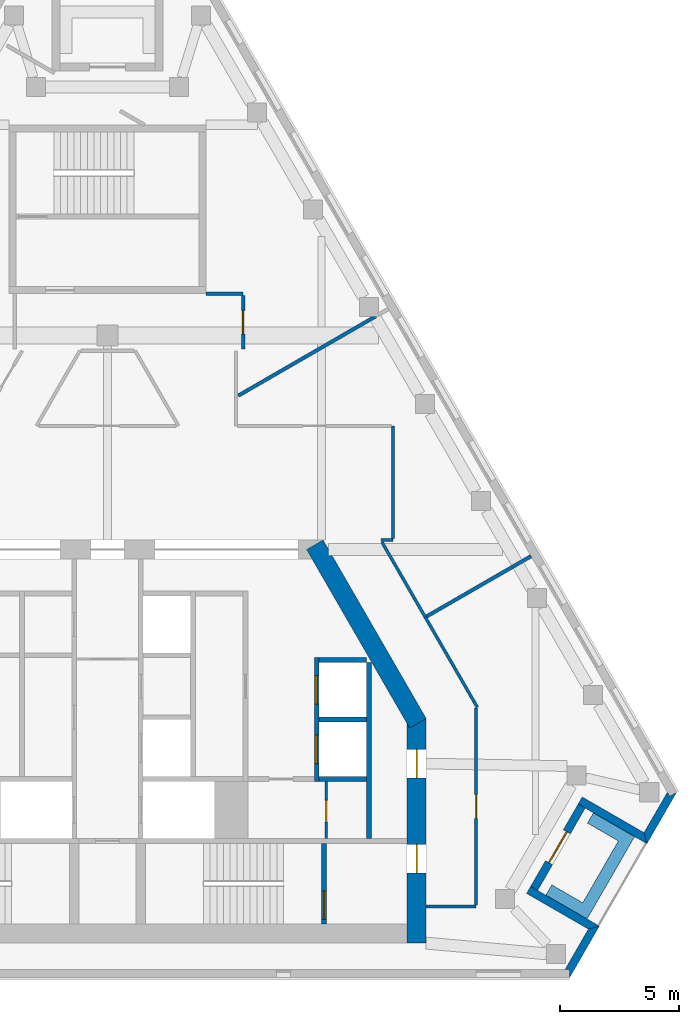
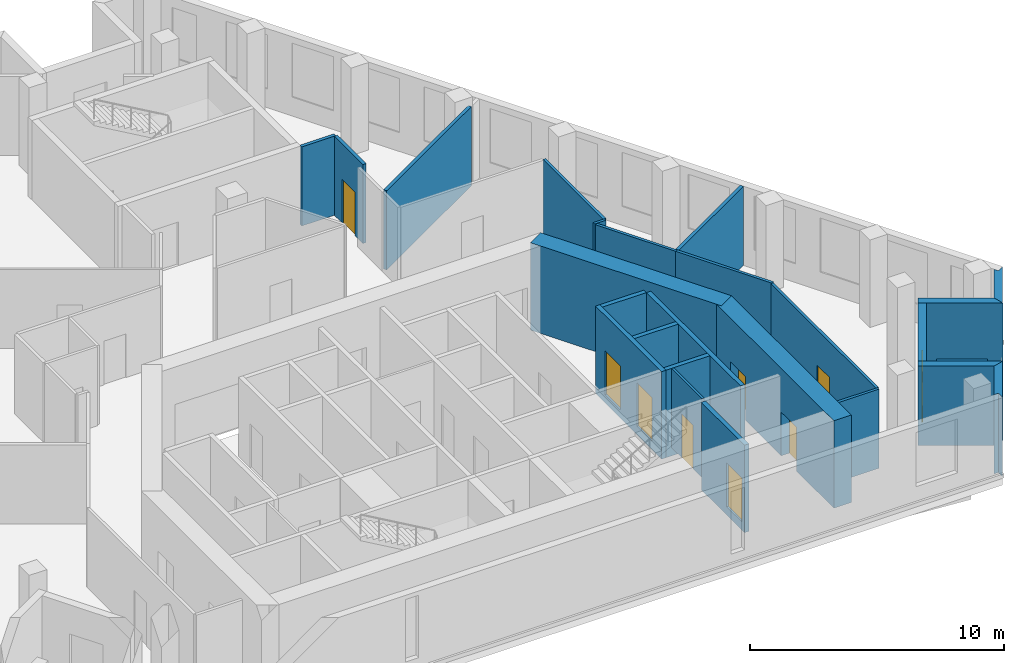
# One storey, part 5 of 8: 25 walls, 9 doors, 9 openings.
"""IFC4 building model written with IfcOpenShell, lengths in metres."""

from ifc_helpers import new_model, si_unit, direction, frame, frame_2d, origin, place, context, subcontext, project, spatial, polyline, rectangle, outline, extrude, material, layer, layer_set, type_object, element, fill, save


model = new_model("IFC4")

# Units and contexts
model_context = context("Model", 3, precision=1e-05, world=origin(), true_north=direction((0.0, 1.0)))
body_context = subcontext(model_context, "Body", "Model", "MODEL_VIEW")
ifc_project = project(units=[si_unit("LENGTHUNIT", "METRE"), si_unit("AREAUNIT", "SQUARE_METRE"), si_unit("VOLUMEUNIT", "CUBIC_METRE"), si_unit("PLANEANGLEUNIT", "RADIAN"), si_unit("MASSUNIT", "GRAM", prefix="KILO")], contexts=[model_context])

# Site, building, storey
site_placement = place(None, origin())
site = spatial("IfcSite", under=ifc_project, at=site_placement, CompositionType="ELEMENT")
building_placement = place(site_placement, origin())
building = spatial("IfcBuilding", under=site, at=building_placement, Name="Fogline Exchange Tower", CompositionType="ELEMENT")
storey_placement = place(building_placement, frame((0.0, 0.0, 335.10009765625)))
storey = spatial("IfcBuildingStorey", under=building, at=storey_placement, Name="L76", CompositionType="ELEMENT", Elevation=335.10009765625)

# Wall, opening, door
ifc_material_1 = material(Name="Blockwork partition", Category="masonry")
ifc_layer_1 = layer(ifc_material_1, 0.10009765625)
ifc_layer_set_1 = layer_set([ifc_layer_1], Name="CW10")
wall_type_1 = type_object("IfcWallType", Name="CW10", PredefinedType="PARTITIONING", material=ifc_layer_set_1)
wall_1_placement = place(storey_placement, frame((9.199951171875, 5.85009765625, 0.0), z_axis=(0.0, 0.0, 1.0), x_axis=(0.0, 1.0, 0.0)))
wall_1 = element("IfcWall", 1, at=wall_1_placement, inside=storey, type_object=wall_type_1, Name="WC partition", PredefinedType="PARTITIONING", context=body_context, shape_type="SweptSolid", body=[
    extrude(rectangle(XDim=2.39990234375, YDim=0.10009765625, at=frame_2d((1.199951171875, 0.0))), origin(), (0.0, 0.0, 1.0), 3.7998046875),
])
opening_1_placement = place(wall_1_placement, frame((0.699951171875, 0.0, 0.0)))
opening_1 = element("IfcOpeningElement", 2, at=opening_1_placement, cuts=wall_1, Name="Opening T24-C015", PredefinedType="OPENING", context=body_context, shape_type="SweptSolid", body=[
    extrude(rectangle(XDim=0.89990234375, YDim=2.10009765625, at=frame_2d((0.449951171875, 1.050048828125))), frame((0.0, 0.06005859375, 0.0), z_axis=(0.0, -1.0, 0.0), x_axis=(1.0, 0.0, 0.0)), (0.0, 0.0, 1.0), 0.1201171875),
])
ifc_material_2 = material(Name="Steel and timber fire door", Category="steel")
door_type_1 = type_object("IfcDoorType", Name="D-CS1", OperationType="SINGLE_SWING_RIGHT", PredefinedType="DOOR", material=ifc_material_2)
door_1_placement = place(opening_1_placement, frame((0.89990234375, 0.0, 0.0), z_axis=(0.0, 0.0, 1.0), x_axis=(-1.0, 0.0, 0.0)))
door_1 = element("IfcDoor", 3, at=door_1_placement, inside=storey, type_object=door_type_1, Name="Door to Cleaner's Store", OperationType="SINGLE_SWING_RIGHT", OverallHeight=2.10009765625, OverallWidth=0.89990234375, PredefinedType="DOOR", context=body_context, shape_type="SweptSolid", body=[
    extrude(rectangle(XDim=0.89990234375, YDim=2.10009765625, at=frame_2d((0.449951171875, 1.050048828125))), frame((0.0, 0.02490234375, 0.0), z_axis=(0.0, -1.0, 0.0), x_axis=(1.0, 0.0, 0.0)), (0.0, 0.0, 1.0), 0.050048828125),
])
fill(opening_1, door_1)

# Wall
ifc_material_3 = material(Name="Concrete C40", Category="concrete")
ifc_layer_2 = layer(ifc_material_3, 0.199951171875)
ifc_layer_set_2 = layer_set([ifc_layer_2], Name="CW20")
wall_type_2 = type_object("IfcWallType", Name="CW20", PredefinedType="SOLIDWALL", material=ifc_layer_set_2)
wall_2_placement = place(storey_placement, frame((11.0, 5.85009765625, 0.0), z_axis=(0.0, 0.0, 1.0), x_axis=(0.0, 1.0, 0.0)))
element("IfcWall", 4, at=wall_2_placement, inside=storey, type_object=wall_type_2, Name="Service room wall", PredefinedType="SOLIDWALL", context=body_context, shape_type="SweptSolid", body=[
    extrude(rectangle(XDim=7.39990234375, YDim=0.199951171875, at=frame_2d((3.699951171875, 0.0))), origin(), (0.0, 0.0, 1.0), 3.7998046875),
])

# Wall, opening, door
ifc_layer_3 = layer(ifc_material_3, 0.199951171875)
ifc_layer_set_3 = layer_set([ifc_layer_3], Name="CW20R")
wall_type_3 = type_object("IfcWallType", Name="CW20R", PredefinedType="SOLIDWALL", material=ifc_layer_set_3)
wall_3_placement = place(storey_placement, frame((9.10009765625, 2.25, -0.400146484375), z_axis=(0.0, 0.0, 1.0), x_axis=(0.0, 1.0, 0.0)))
wall_3 = element("IfcWall", 5, at=wall_3_placement, inside=storey, type_object=wall_type_3, Name="Stair enclosure wall", PredefinedType="SOLIDWALL", context=body_context, shape_type="SweptSolid", body=[
    extrude(rectangle(XDim=3.39990234375, YDim=0.199951171875, at=frame_2d((1.699951171875, 0.0))), origin(), (0.0, 0.0, 1.0), 4.199951171875),
])
opening_2_placement = place(wall_3_placement, frame((0.199951171875, 0.0, 0.39990234375)))
opening_2 = element("IfcOpeningElement", 6, at=opening_2_placement, cuts=wall_3, Name="Opening T24-C017", PredefinedType="OPENING", context=body_context, shape_type="SweptSolid", body=[
    extrude(rectangle(XDim=1.199951171875, YDim=2.10009765625, at=frame_2d((0.60009765625, 1.050048828125))), frame((0.0, 0.10986328125, 0.0), z_axis=(0.0, -1.0, 0.0), x_axis=(1.0, 0.0, 0.0)), (0.0, 0.0, 1.0), 0.219970703125),
])
door_type_2 = type_object("IfcDoorType", Name="D-ST1", OperationType="SINGLE_SWING_LEFT", PredefinedType="DOOR", material=ifc_material_2)
door_2_placement = place(opening_2_placement, origin())
door_2 = element("IfcDoor", 7, at=door_2_placement, inside=storey, type_object=door_type_2, Name="Stair door ST2", OperationType="SINGLE_SWING_LEFT", OverallHeight=2.10009765625, OverallWidth=1.199951171875, PredefinedType="DOOR", context=body_context, shape_type="SweptSolid", body=[
    extrude(rectangle(XDim=1.199951171875, YDim=2.10009765625, at=frame_2d((0.60009765625, 1.050048828125))), frame((0.0, 0.02490234375, 0.0), z_axis=(0.0, -1.0, 0.0), x_axis=(1.0, 0.0, 0.0)), (0.0, 0.0, 1.0), 0.050048828125),
])
fill(opening_2, door_2)

# Wall, openings, doors
ifc_layer_4 = layer(ifc_material_3, 0.199951171875)
ifc_layer_set_4 = layer_set([ifc_layer_4], Name="CW20S")
wall_type_4 = type_object("IfcWallType", Name="CW20S", PredefinedType="SOLIDWALL", material=ifc_layer_set_4)
wall_4_placement = place(storey_placement, frame((8.800048828125, 8.25, -0.400146484375), z_axis=(0.0, 0.0, 1.0), x_axis=(0.0, 1.0, 0.0)))
wall_4 = element("IfcWall", 8, at=wall_4_placement, inside=storey, type_object=wall_type_4, Name="Lift shaft wall", PredefinedType="SOLIDWALL", context=body_context, shape_type="SweptSolid", body=[
    extrude(rectangle(XDim=5.199951171875, YDim=0.199951171875, at=frame_2d((2.60009765625, 0.0))), origin(), (0.0, 0.0, 1.0), 4.199951171875),
])
opening_3_placement = place(wall_4_placement, frame((0.75, 0.0, 0.39990234375)))
opening_3 = element("IfcOpeningElement", 9, at=opening_3_placement, cuts=wall_4, Name="Opening T24-LD02", PredefinedType="OPENING", context=body_context, shape_type="SweptSolid", body=[
    extrude(rectangle(XDim=1.199951171875, YDim=2.10009765625, at=frame_2d((0.60009765625, 1.050048828125))), frame((0.0, 0.10986328125, 0.0), z_axis=(0.0, -1.0, 0.0), x_axis=(1.0, 0.0, 0.0)), (0.0, 0.0, 1.0), 0.219970703125),
])
opening_4_placement = place(wall_4_placement, frame((3.25, 0.0, 0.39990234375)))
opening_4 = element("IfcOpeningElement", 10, at=opening_4_placement, cuts=wall_4, Name="Opening T24-LD03", PredefinedType="OPENING", context=body_context, shape_type="SweptSolid", body=[
    extrude(rectangle(XDim=1.199951171875, YDim=2.10009765625, at=frame_2d((0.60009765625, 1.050048828125))), frame((0.0, 0.10986328125, 0.0), z_axis=(0.0, -1.0, 0.0), x_axis=(1.0, 0.0, 0.0)), (0.0, 0.0, 1.0), 0.219970703125),
])
door_type_3 = type_object("IfcDoorType", Name="LD1", OperationType="SLIDING_TO_LEFT", PredefinedType="DOOR", material=ifc_material_2)
door_3_placement = place(opening_3_placement, origin())
door_3 = element("IfcDoor", 11, at=door_3_placement, inside=storey, type_object=door_type_3, Name="Landing door HR1", OperationType="SLIDING_TO_LEFT", OverallHeight=2.10009765625, OverallWidth=1.199951171875, PredefinedType="DOOR", context=body_context, shape_type="SweptSolid", body=[
    extrude(rectangle(XDim=1.199951171875, YDim=2.10009765625, at=frame_2d((0.60009765625, 1.050048828125))), frame((0.0, 0.02490234375, 0.0), z_axis=(0.0, -1.0, 0.0), x_axis=(1.0, 0.0, 0.0)), (0.0, 0.0, 1.0), 0.050048828125),
])
fill(opening_3, door_3)
door_4_placement = place(opening_4_placement, origin())
door_4 = element("IfcDoor", 12, at=door_4_placement, inside=storey, type_object=door_type_3, Name="Landing door HR2", OperationType="SLIDING_TO_LEFT", OverallHeight=2.10009765625, OverallWidth=1.199951171875, PredefinedType="DOOR", context=body_context, shape_type="SweptSolid", body=[
    extrude(rectangle(XDim=1.199951171875, YDim=2.10009765625, at=frame_2d((0.60009765625, 1.050048828125))), frame((0.0, 0.02490234375, 0.0), z_axis=(0.0, -1.0, 0.0), x_axis=(1.0, 0.0, 0.0)), (0.0, 0.0, 1.0), 0.050048828125),
])
fill(opening_4, door_4)

# Walls
for number, where, z_axis, x_axis, name in (
    (13, (8.89990234375, 8.35009765625, -0.400146484375), (0.0, 0.0, 1.0), (1.0, 0.0, 0.0), "Lift shaft wall"),
    (14, (8.89990234375, 10.85009765625, -0.400146484375), (0.0, 0.0, 1.0), (1.0, 0.0, 0.0), "Lift shaft wall"),
    (15, (8.89990234375, 13.35009765625, -0.400146484375), (0.0, 0.0, 1.0), (1.0, 0.0, 0.0), "Lift shaft wall"),
):
    element("IfcWall", number, at=place(storey_placement, frame(where, z_axis=z_axis, x_axis=x_axis)), inside=storey, type_object=wall_type_4, Name=name, PredefinedType="SOLIDWALL", context=body_context, shape_type="SweptSolid", body=[
        extrude(rectangle(XDim=2.0, YDim=0.199951171875, at=frame_2d((1.0, 0.0))), origin(), (0.0, 0.0, 1.0), 4.199951171875),
    ])
ifc_material_4 = material(Name="Brick masonry", Category="masonry")
ifc_layer_5 = layer(ifc_material_4, 0.340087890625)
ifc_layer_set_5 = layer_set([ifc_layer_5], Name="FW1")
wall_type_5 = type_object("IfcWallType", Name="FW1", PredefinedType="SOLIDWALL", material=ifc_layer_set_5)
wall_5_placement = place(storey_placement, origin())
element("IfcWall", 16, at=wall_5_placement, inside=storey, type_object=wall_type_5, Name="Brick wall L76 SE-c1", PredefinedType="SOLIDWALL", context=body_context, shape_type="SweptSolid", body=[
    extrude(outline(polyline([(20.68603515625, 2.165771484375), (19.43505859375, -0.001220703125), (19.434326171875, -0.0009765625), (19.434326171875, 0.33935546875), (19.237548828125, 0.33935546875), (20.22021484375, 2.041015625), (20.685791015625, 2.166015625), (20.68603515625, 2.165771484375)])), origin(), (0.0, 0.0, 1.0), 3.7998046875),
])
wall_6_placement = place(storey_placement, origin())
element("IfcWall", 17, at=wall_6_placement, inside=storey, type_object=wall_type_5, Name="Brick wall L76 SE-s1", PredefinedType="SOLIDWALL", context=body_context, shape_type="SweptSolid", body=[
    extrude(outline(polyline([(17.62158203125, 3.540283203125), (17.792236328125, 3.8359375), (18.087158203125, 3.66552734375), (20.686279296875, 2.1650390625), (20.686279296875, 2.164794921875), (20.220458984375, 2.0400390625), (17.62158203125, 3.540283203125)])), origin(), (0.0, 0.0, 1.0), 3.7998046875),
])

# Wall, opening, door
wall_7_placement = place(storey_placement, frame((17.939697265625, 3.75, 0.0), z_axis=(0.0, 0.0, 1.0), x_axis=(0.49999894854, 0.866026010844, 0.0)))
wall_7 = element("IfcWall", 18, at=wall_7_placement, inside=storey, type_object=wall_type_5, Name="Brick wall L76 SE-bk", PredefinedType="SOLIDWALL", context=body_context, shape_type="SweptSolid", body=[
    extrude(rectangle(XDim=4.0, YDim=0.340087890625, at=frame_2d((2.0, 0.0))), origin(), (0.0, 0.0, 1.0), 3.7998046875),
])
opening_5_placement = place(wall_7_placement, frame((1.25, 0.0, 0.0)))
opening_5 = element("IfcOpeningElement", 19, at=opening_5_placement, cuts=wall_7, Name="Opening T24-E081", PredefinedType="OPENING", context=body_context, shape_type="SweptSolid", body=[
    extrude(rectangle(XDim=1.5, YDim=2.39990234375, at=frame_2d((0.75, 1.199951171875))), frame((0.0, 0.18017578125, 0.0), z_axis=(0.0, -1.0, 0.0), x_axis=(1.0, 0.0, 0.0)), (0.0, 0.0, 1.0), 0.360107421875),
])
ifc_material_5 = material(Name="Aluminium and glass", Category="aluminium")
door_type_4 = type_object("IfcDoorType", Name="ED4", OperationType="SINGLE_SWING_LEFT", PredefinedType="DOOR", material=ifc_material_5)
door_5_placement = place(opening_5_placement, frame((1.5, 0.0, 0.0), z_axis=(0.0, 0.0, 1.0), x_axis=(-1.0, 0.0, 0.0)))
door_5 = element("IfcDoor", 20, at=door_5_placement, inside=storey, type_object=door_type_4, Name="Balcony door L76 SE", OperationType="DOUBLE_DOOR_SINGLE_SWING", OverallHeight=2.39990234375, OverallWidth=1.5, PredefinedType="DOOR", context=body_context, shape_type="SweptSolid", body=[
    extrude(rectangle(XDim=1.5, YDim=2.39990234375, at=frame_2d((0.75, 1.199951171875))), frame((0.0, 0.02490234375, 0.0), z_axis=(0.0, -1.0, 0.0), x_axis=(1.0, 0.0, 0.0)), (0.0, 0.0, 1.0), 0.050048828125),
])
fill(opening_5, door_5)

# Walls
wall_8_placement = place(storey_placement, origin())
element("IfcWall", 21, at=wall_8_placement, inside=storey, type_object=wall_type_5, Name="Brick wall L76 SE-s2", PredefinedType="SOLIDWALL", context=body_context, shape_type="SweptSolid", body=[
    extrude(outline(polyline([(22.685546875, 5.628173828125), (20.086669921875, 7.128662109375), (19.791748046875, 7.298828125), (19.962158203125, 7.594482421875), (22.56103515625, 6.093994140625), (22.685791015625, 5.62841796875), (22.685546875, 5.628173828125)])), origin(), (0.0, 0.0, 1.0), 3.7998046875),
])
wall_9_placement = place(storey_placement, origin())
element("IfcWall", 22, at=wall_9_placement, inside=storey, type_object=wall_type_5, Name="Brick wall L76 SE-c2", PredefinedType="SOLIDWALL", context=body_context, shape_type="SweptSolid", body=[
    extrude(outline(polyline([(23.54248046875, 7.79541015625), (23.640869140625, 7.625), (23.935546875, 7.79541015625), (23.93603515625, 7.794921875), (22.68505859375, 5.6279296875), (22.684814453125, 5.6279296875), (22.559814453125, 6.09375), (23.54248046875, 7.79541015625)])), origin(), (0.0, 0.0, 1.0), 3.7998046875),
])
ifc_material_6 = material(Name="Concrete C30", Category="concrete")
ifc_layer_6 = layer(ifc_material_6, 0.199951171875)
ifc_layer_set_6 = layer_set([ifc_layer_6], Name="PL1")
wall_type_6 = type_object("IfcWallType", Name="PL1", PredefinedType="USERDEFINED", material=ifc_layer_set_6)
wall_10_placement = place(storey_placement, origin())
element("IfcWall", 23, at=wall_10_placement, inside=storey, type_object=wall_type_6, Name="PLANTER balcony L76 SE", ObjectType="PLANTER", PredefinedType="USERDEFINED", context=body_context, shape_type="SweptSolid", body=[
    extrude(outline(polyline([(18.433349609375, 3.465087890625), (19.732421875, 2.715087890625), (19.732421875, 2.715087890625), (20.165283203125, 2.465087890625), (22.165283203125, 5.92919921875), (20.433349609375, 6.92919921875), (20.183349609375, 6.49609375), (21.482421875, 5.74609375), (19.982421875, 3.148193359375), (18.683349609375, 3.898193359375), (18.433349609375, 3.465087890625)])), origin(), (0.0, 0.0, 1.0), 1.099853515625),
])
ifc_material_7 = material(Name="Plasterboard corridor partition with mineral wool, 2 layers each side")
ifc_layer_7 = layer(ifc_material_7, 0.125)
ifc_layer_set_7 = layer_set([ifc_layer_7], Name="PW2")
wall_type_7 = type_object("IfcWallType", Name="PW2", PredefinedType="PARTITIONING", material=ifc_layer_set_7)
wall_11_placement = place(storey_placement, frame((11.54443359375, 18.305908203125, 0.0), z_axis=(0.0, 0.0, 1.0), x_axis=(0.500007048974, -0.866021334019, 0.0)))
element("IfcWall", 24, at=wall_11_placement, inside=storey, type_object=wall_type_7, Name="wall-L76-W001", PredefinedType="PARTITIONING", context=body_context, shape_type="SweptSolid", body=[
    extrude(rectangle(XDim=3.638671875, YDim=0.125, at=frame_2d((1.8193359375, 0.0))), origin(), (0.0, 0.0, 1.0), 3.7998046875),
])
wall_12_placement = place(storey_placement, frame((13.36376953125, 15.15478515625, 0.0), z_axis=(0.0, 0.0, 1.0), x_axis=(0.499974900732, -0.866039894369, 0.0)))
element("IfcWall", 25, at=wall_12_placement, inside=storey, type_object=wall_type_7, Name="wall-L76-W002", PredefinedType="PARTITIONING", context=body_context, shape_type="SweptSolid", body=[
    extrude(rectangle(XDim=4.381103515625, YDim=0.125, at=frame_2d((2.1904296875, 0.0))), origin(), (0.0, 0.0, 1.0), 3.7998046875),
])

# Wall, opening, door
wall_13_placement = place(storey_placement, frame((15.5, 11.32958984375, 0.0), z_axis=(0.0, 0.0, 1.0), x_axis=(0.0, -1.0, 0.0)))
wall_13 = element("IfcWall", 26, at=wall_13_placement, inside=storey, type_object=wall_type_7, Name="wall-L76-W003", PredefinedType="PARTITIONING", context=body_context, shape_type="SweptSolid", body=[
    extrude(rectangle(XDim=8.26708984375, YDim=0.125, at=frame_2d((4.133544921875, 0.0))), origin(), (0.0, 0.0, 1.0), 3.7998046875),
])
opening_6_placement = place(wall_13_placement, frame((3.633544921875, 0.0, 0.0)))
opening_6 = element("IfcOpeningElement", 27, at=opening_6_placement, cuts=wall_13, Name="Opening T24-D001", PredefinedType="OPENING", context=body_context, shape_type="SweptSolid", body=[
    extrude(rectangle(XDim=1.0, YDim=2.10009765625, at=frame_2d((0.5, 1.050048828125))), frame((0.0, 0.072509765625, 0.0), z_axis=(0.0, -1.0, 0.0), x_axis=(1.0, 0.0, 0.0)), (0.0, 0.0, 1.0), 0.14501953125),
])
ifc_material_8 = material(Name="Fire-rated timber door leaf with steel frame", Category="steel")
door_type_5 = type_object("IfcDoorType", Name="D3", OperationType="SINGLE_SWING_LEFT", PredefinedType="DOOR", material=ifc_material_8)
door_6_placement = place(opening_6_placement, origin())
door_6 = element("IfcDoor", 28, at=door_6_placement, inside=storey, type_object=door_type_5, Name="door-L76-D001", OperationType="SINGLE_SWING_RIGHT", OverallHeight=2.10009765625, OverallWidth=1.0, PredefinedType="DOOR", context=body_context, shape_type="SweptSolid", body=[
    extrude(rectangle(XDim=1.0, YDim=2.10009765625, at=frame_2d((0.5, 1.050048828125))), frame((0.0, 0.02490234375, 0.0), z_axis=(0.0, -1.0, 0.0), x_axis=(1.0, 0.0, 0.0)), (0.0, 0.0, 1.0), 0.050048828125),
])
fill(opening_6, door_6)

# Walls
wall_14_placement = place(storey_placement, frame((15.5, 3.0, 0.0), z_axis=(0.0, 0.0, 1.0), x_axis=(-1.0, 0.0, 0.0)))
element("IfcWall", 29, at=wall_14_placement, inside=storey, type_object=wall_type_7, Name="wall-L76-W004", PredefinedType="PARTITIONING", context=body_context, shape_type="SweptSolid", body=[
    extrude(rectangle(XDim=2.10009765625, YDim=0.125, at=frame_2d((1.050048828125, 0.0))), origin(), (0.0, 0.0, 1.0), 3.7998046875),
])
wall_15_placement = place(storey_placement, frame((12.0, 23.199951171875, 0.0), z_axis=(0.0, 0.0, 1.0), x_axis=(0.0, -1.0, 0.0)))
element("IfcWall", 30, at=wall_15_placement, inside=storey, type_object=wall_type_7, Name="wall-L76-W006", PredefinedType="PARTITIONING", context=body_context, shape_type="SweptSolid", body=[
    extrude(rectangle(XDim=4.737548828125, YDim=0.125, at=frame_2d((2.36865234375, 0.0))), origin(), (0.0, 0.0, 1.0), 3.7998046875),
])
wall_16_placement = place(storey_placement, frame((12.0, 18.39990234375, 0.0), z_axis=(0.0, 0.0, 1.0), x_axis=(-1.0, 0.0, 0.0)))
element("IfcWall", 31, at=wall_16_placement, inside=storey, type_object=wall_type_7, Name="wall-L76-W007", PredefinedType="PARTITIONING", context=body_context, shape_type="SweptSolid", body=[
    extrude(rectangle(XDim=0.510009765625, YDim=0.125, at=frame_2d((0.2548828125, 0.0))), origin(), (0.0, 0.0, 1.0), 3.7998046875),
])
ifc_material_9 = material(Name="Plasterboard demising partition with mineral wool and acoustic board")
ifc_layer_8 = layer(ifc_material_9, 0.14990234375)
ifc_layer_set_8 = layer_set([ifc_layer_8], Name="PW3")
wall_type_8 = type_object("IfcWallType", Name="PW3", PredefinedType="PARTITIONING", material=ifc_layer_set_8)
wall_17_placement = place(storey_placement, frame((5.50048828125, 24.47119140625, 0.0), z_axis=(0.0, 0.0, 1.0), x_axis=(0.866028417731, 0.499994779655, 0.0)))
element("IfcWall", 32, at=wall_17_placement, inside=storey, type_object=wall_type_8, Name="wall-L76-W028", PredefinedType="PARTITIONING", context=body_context, shape_type="SweptSolid", body=[
    extrude(rectangle(XDim=6.673828125, YDim=0.14990234375, at=frame_2d((3.3369140625, 0.0))), origin(), (0.0, 0.0, 1.0), 3.7998046875),
])
wall_18_placement = place(storey_placement, frame((17.810546875, 17.72216796875, 0.0), z_axis=(0.0, 0.0, 1.0), x_axis=(-0.86601005171, -0.50002658963, 0.0)))
element("IfcWall", 33, at=wall_18_placement, inside=storey, type_object=wall_type_8, Name="wall-L76-W030", PredefinedType="PARTITIONING", context=body_context, shape_type="SweptSolid", body=[
    extrude(rectangle(XDim=5.072509765625, YDim=0.14990234375, at=frame_2d((2.5361328125, 0.0))), origin(), (0.0, 0.0, 1.0), 3.7998046875),
])
ifc_material_10 = material(Name="Plasterboard stair lobby partition, 3 layers each side on steel studs", Category="steel")
ifc_layer_9 = layer(ifc_material_10, 0.14990234375)
ifc_layer_set_9 = layer_set([ifc_layer_9], Name="PW4")
wall_type_9 = type_object("IfcWallType", Name="PW4", PredefinedType="PARTITIONING", material=ifc_layer_set_9)
wall_19_placement = place(storey_placement, frame((4.14990234375, 28.757080078125, 0.0), z_axis=(0.0, 0.0, 1.0), x_axis=(1.0, 0.0, 0.0)))
element("IfcWall", 34, at=wall_19_placement, inside=storey, type_object=wall_type_9, Name="wall-L76-W018", PredefinedType="PARTITIONING", context=body_context, shape_type="SweptSolid", body=[
    extrude(rectangle(XDim=1.550048828125, YDim=0.14990234375, at=frame_2d((0.77490234375, 0.0))), origin(), (0.0, 0.0, 1.0), 3.7998046875),
])

# Wall, opening, door
wall_20_placement = place(storey_placement, frame((5.699951171875, 28.681884765625, 0.0), z_axis=(0.0, 0.0, 1.0), x_axis=(0.0, -1.0, 0.0)))
wall_20 = element("IfcWall", 35, at=wall_20_placement, inside=storey, type_object=wall_type_9, Name="wall-L76-W019", PredefinedType="PARTITIONING", context=body_context, shape_type="SweptSolid", body=[
    extrude(rectangle(XDim=2.25, YDim=0.14990234375, at=frame_2d((1.125, 0.0))), origin(), (0.0, 0.0, 1.0), 3.7998046875),
])
opening_7_placement = place(wall_20_placement, frame((0.625, 0.0, 0.0)))
opening_7 = element("IfcOpeningElement", 36, at=opening_7_placement, cuts=wall_20, Name="Opening T24-D007", PredefinedType="OPENING", context=body_context, shape_type="SweptSolid", body=[
    extrude(rectangle(XDim=1.0, YDim=2.10009765625, at=frame_2d((0.5, 1.050048828125))), frame((0.0, 0.0849609375, 0.0), z_axis=(0.0, -1.0, 0.0), x_axis=(1.0, 0.0, 0.0)), (0.0, 0.0, 1.0), 0.169921875),
])
door_7_placement = place(opening_7_placement, origin())
door_7 = element("IfcDoor", 37, at=door_7_placement, inside=storey, type_object=door_type_5, Name="door-L76-D007", OperationType="SINGLE_SWING_LEFT", OverallHeight=2.10009765625, OverallWidth=1.0, PredefinedType="DOOR", context=body_context, shape_type="SweptSolid", body=[
    extrude(rectangle(XDim=1.0, YDim=2.10009765625, at=frame_2d((0.5, 1.050048828125))), frame((0.0, 0.02490234375, 0.0), z_axis=(0.0, -1.0, 0.0), x_axis=(1.0, 0.0, 0.0)), (0.0, 0.0, 1.0), 0.050048828125),
])
fill(opening_7, door_7)

# Wall, openings, doors
ifc_material_11 = material(Name="Concrete C50", Category="concrete")
ifc_layer_10 = layer(ifc_material_11, 0.800048828125)
ifc_layer_set_10 = layer_set([ifc_layer_10], Name="SW04")
wall_type_10 = type_object("IfcWallType", Name="SW04", PredefinedType="SHEAR", material=ifc_layer_set_10)
wall_21_placement = place(storey_placement, frame((13.0, 1.449951171875, 0.0), z_axis=(0.0, 0.0, 1.0), x_axis=(0.0, 1.0, 0.0)))
wall_21 = element("IfcWall", 38, at=wall_21_placement, inside=storey, type_object=wall_type_10, Name="L76-W902", PredefinedType="SHEAR", context=body_context, shape_type="SweptSolid", body=[
    extrude(rectangle(XDim=9.44189453125, YDim=0.800048828125, at=frame_2d((4.720947265625, 0.0))), origin(), (0.0, 0.0, 1.0), 4.199951171875),
])
opening_8_placement = place(wall_21_placement, frame((2.949951171875, 0.0, 0.0)))
opening_8 = element("IfcOpeningElement", 39, at=opening_8_placement, cuts=wall_21, Name="Opening T24-C016", PredefinedType="OPENING", context=body_context, shape_type="SweptSolid", body=[
    extrude(rectangle(XDim=1.199951171875, YDim=2.10009765625, at=frame_2d((0.60009765625, 1.050048828125))), frame((0.0, 0.41015625, 0.0), z_axis=(0.0, -1.0, 0.0), x_axis=(1.0, 0.0, 0.0)), (0.0, 0.0, 1.0), 0.820068359375),
])
opening_9_placement = place(wall_21_placement, frame((6.949951171875, 0.0, 0.0)))
opening_9 = element("IfcOpeningElement", 40, at=opening_9_placement, cuts=wall_21, Name="Opening T24-C018", PredefinedType="OPENING", context=body_context, shape_type="SweptSolid", body=[
    extrude(rectangle(XDim=1.199951171875, YDim=2.10009765625, at=frame_2d((0.60009765625, 1.050048828125))), frame((0.0, 0.41015625, 0.0), z_axis=(0.0, -1.0, 0.0), x_axis=(1.0, 0.0, 0.0)), (0.0, 0.0, 1.0), 0.820068359375),
])
door_type_6 = type_object("IfcDoorType", Name="D-FR1", OperationType="SINGLE_SWING_RIGHT", PredefinedType="DOOR", material=ifc_material_2)
door_8_placement = place(opening_8_placement, origin())
door_8 = element("IfcDoor", 41, at=door_8_placement, inside=storey, type_object=door_type_6, Name="Front room door ST2", OperationType="SINGLE_SWING_RIGHT", OverallHeight=2.10009765625, OverallWidth=1.199951171875, PredefinedType="DOOR", context=body_context, shape_type="SweptSolid", body=[
    extrude(rectangle(XDim=1.199951171875, YDim=2.10009765625, at=frame_2d((0.60009765625, 1.050048828125))), frame((0.0, 0.02490234375, 0.0), z_axis=(0.0, -1.0, 0.0), x_axis=(1.0, 0.0, 0.0)), (0.0, 0.0, 1.0), 0.050048828125),
])
fill(opening_8, door_8)
door_type_7 = type_object("IfcDoorType", Name="D-SV1", OperationType="SINGLE_SWING_LEFT", PredefinedType="DOOR", material=ifc_material_2)
door_9_placement = place(opening_9_placement, origin())
door_9 = element("IfcDoor", 42, at=door_9_placement, inside=storey, type_object=door_type_7, Name="Service door E", OperationType="SINGLE_SWING_RIGHT", OverallHeight=2.10009765625, OverallWidth=1.199951171875, PredefinedType="DOOR", context=body_context, shape_type="SweptSolid", body=[
    extrude(rectangle(XDim=1.199951171875, YDim=2.10009765625, at=frame_2d((0.60009765625, 1.050048828125))), frame((0.0, 0.02490234375, 0.0), z_axis=(0.0, -1.0, 0.0), x_axis=(1.0, 0.0, 0.0)), (0.0, 0.0, 1.0), 0.050048828125),
])
fill(opening_9, door_9)

# Wall
wall_22_placement = place(storey_placement, frame((13.0537109375, 10.69189453125, 0.0), z_axis=(0.0, 0.0, 1.0), x_axis=(-0.500015780397, 0.866016292776, 0.0)))
element("IfcWall", 43, at=wall_22_placement, inside=storey, type_object=wall_type_10, Name="L76-W903", PredefinedType="SHEAR", context=body_context, shape_type="SweptSolid", body=[
    extrude(rectangle(XDim=8.669677734375, YDim=0.800048828125, at=frame_2d((4.3349609375, 0.0))), origin(), (0.0, 0.0, 1.0), 4.199951171875),
])

save(model, "model.ifc")
